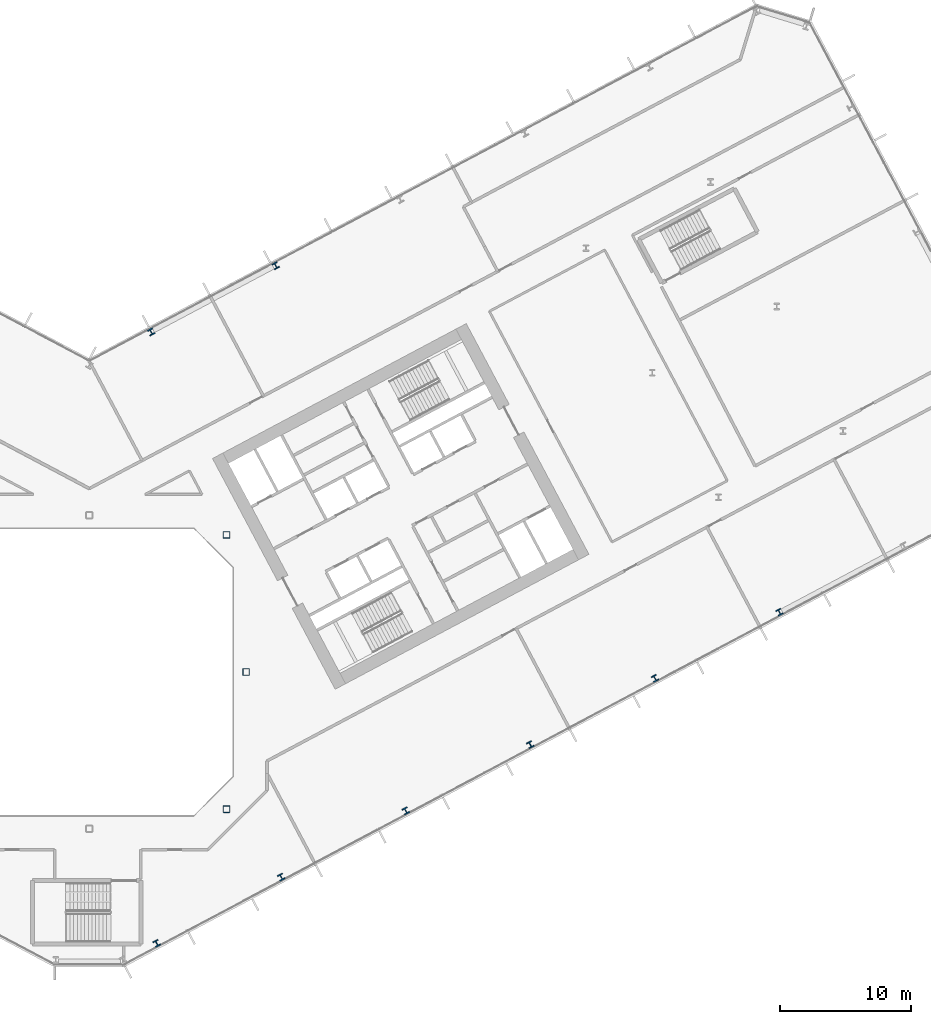
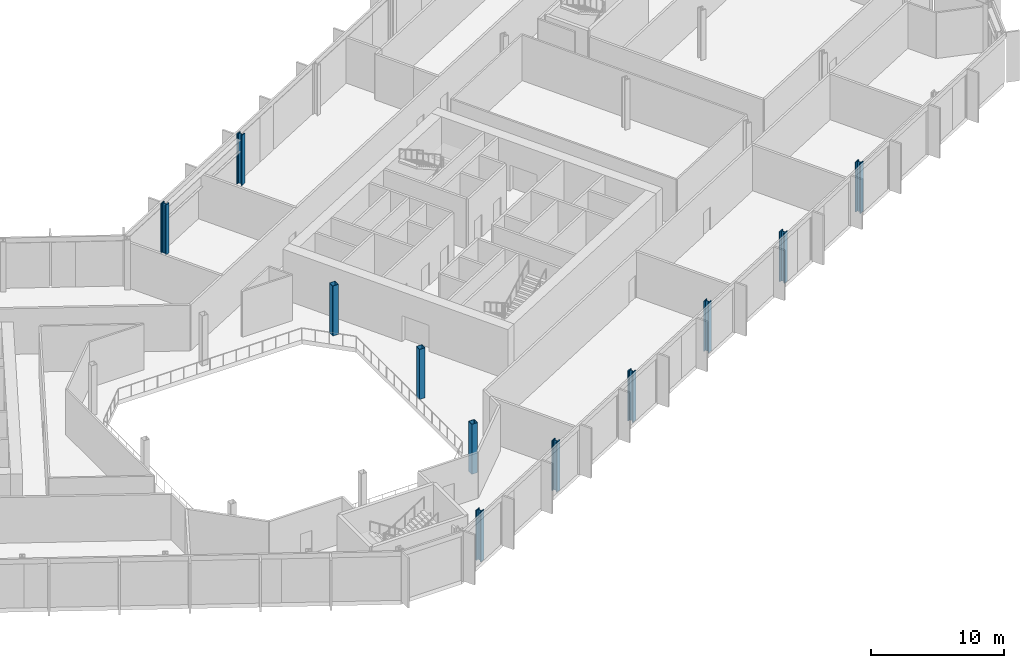
# One storey, part 3 of 32: 11 columns.
"""IFC4 building model written with IfcOpenShell, lengths in metres."""

from ifc_helpers import new_model, si_unit, direction, frame, origin, origin_2d, place, context, subcontext, project, spatial, hollow_rectangle, i_section, extrude, material, material_profile, profile_set, type_object, element, save


model = new_model("IFC4")

# Units and contexts
model_context = context("Model", 3, precision=1e-05, world=origin(), true_north=direction((0.0, 1.0)))
body_context = subcontext(model_context, "Body", "Model", "MODEL_VIEW")
ifc_project = project(units=[si_unit("LENGTHUNIT", "METRE"), si_unit("AREAUNIT", "SQUARE_METRE"), si_unit("VOLUMEUNIT", "CUBIC_METRE"), si_unit("PLANEANGLEUNIT", "RADIAN"), si_unit("MASSUNIT", "GRAM", prefix="KILO")], contexts=[model_context])

# Site, building, storey
site_placement = place(None, origin())
site = spatial("IfcSite", under=ifc_project, at=site_placement, CompositionType="ELEMENT")
building_placement = place(site_placement, origin())
building = spatial("IfcBuilding", under=site, at=building_placement, Name="Cormorant Relay Tower", CompositionType="ELEMENT")
storey_placement = place(building_placement, frame((0.0, 0.0, 66.199951171875)))
storey = spatial("IfcBuildingStorey", under=building, at=storey_placement, Name="L12", CompositionType="ELEMENT", Elevation=66.199951171875)

# Columns
ifc_material_1 = material(Name="Steel ASTM A500 Grade C (Fy 345 MPa)", Category="steel")
ifc_material_profile_1 = material_profile(ifc_material_1, hollow_rectangle(XDim=0.508056640625, YDim=0.508056640625, WallThickness=0.020751953125, InnerFilletRadius=0.01025390625, OuterFilletRadius=0.031005859375, at=origin_2d()), Name="HSS508x508x21")
ifc_profile_set_1 = profile_set([ifc_material_profile_1], Name="Steel ASTM A500 Grade C (Fy 345 MPa)")
column_type_1 = type_object("IfcColumnType", Name="Column HSS508x508x21", PredefinedType="COLUMN", material=ifc_profile_set_1)
for number, where, z_axis, x_axis, name in (
    (1, (10.5, -10.5, 0.0), (0.0, 0.0, 1.0), (1.0, 0.0, 0.0), "Column L12-010"),
    (2, (12.0, 0.0, 0.0), (0.0, 0.0, 1.0), (1.0, 0.0, 0.0), "Column L12-016"),
    (3, (10.5, 10.5, 0.0), (0.0, 0.0, 1.0), (1.0, 0.0, 0.0), "Column L12-023"),
):
    element("IfcColumn", number, at=place(storey_placement, frame(where, z_axis=z_axis, x_axis=x_axis)), inside=storey, type_object=column_type_1, Name=name, PredefinedType="COLUMN", context=body_context, shape_type="SweptSolid", body=[
        extrude(hollow_rectangle(XDim=0.508056640625, YDim=0.508056640625, WallThickness=0.020751953125, InnerFilletRadius=0.01025390625, OuterFilletRadius=0.031005859375, at=origin_2d()), origin(), (0.0, 0.0, 1.0), 4.60009765625),
    ])
ifc_material_2 = material(Name="Steel ASTM A992 (Fy 345 MPa)", Category="steel")
ifc_material_profile_2 = material_profile(ifc_material_2, i_section(OverallWidth=0.42431640625, OverallDepth=0.47509765625, WebThickness=0.0478515625, FlangeThickness=0.0771484375, FilletRadius=0.014892578125, at=origin_2d()), Name="W360x634")
ifc_profile_set_2 = profile_set([ifc_material_profile_2], Name="Steel ASTM A992 (Fy 345 MPa)")
column_type_2 = type_object("IfcColumnType", Name="Column W360x634", PredefinedType="COLUMN", material=ifc_profile_set_2)
for number, where, z_axis, x_axis, name in (
    (4, (5.155029296875, -20.77099609375, 0.0), (0.0, 0.0, 1.0), (0.882947592859, 0.469471562786, 0.0), "Column L12-003"),
    (5, (14.69091796875, -15.700927734375, 0.0), (0.0, 0.0, 1.0), (0.882947592859, 0.469471562786, 0.0), "Column L12-005"),
    (6, (24.22705078125, -10.631103515625, 0.0), (0.0, 0.0, 1.0), (0.882947592859, 0.469471562786, 0.0), "Column L12-008"),
    (7, (33.761962890625, -5.56005859375, 0.0), (0.0, 0.0, 1.0), (0.882947592859, 0.469471562786, 0.0), "Column L12-012"),
    (8, (43.298095703125, -0.489990234375, 0.0), (0.0, 0.0, 1.0), (0.882947592859, 0.469471562786, 0.0), "Column L12-014"),
    (9, (52.833984375, 4.580078125, 0.0), (0.0, 0.0, 1.0), (0.882947592859, 0.469471562786, 0.0), "Column L12-019"),
    (10, (4.73388671875, 26.029052734375, 0.0), (0.0, 0.0, 1.0), (-0.882947592859, -0.469471562786, 0.0), "Column L12-035"),
    (11, (14.27001953125, 31.10009765625, 0.0), (0.0, 0.0, 1.0), (-0.882947592859, -0.469471562786, 0.0), "Column L12-039"),
):
    element("IfcColumn", number, at=place(storey_placement, frame(where, z_axis=z_axis, x_axis=x_axis)), inside=storey, type_object=column_type_2, Name=name, PredefinedType="COLUMN", context=body_context, shape_type="SweptSolid", body=[
        extrude(i_section(OverallWidth=0.42431640625, OverallDepth=0.47509765625, WebThickness=0.0478515625, FlangeThickness=0.0771484375, FilletRadius=0.014892578125, at=origin_2d()), origin(), (0.0, 0.0, 1.0), 4.60009765625),
    ])

save(model, "model.ifc")
